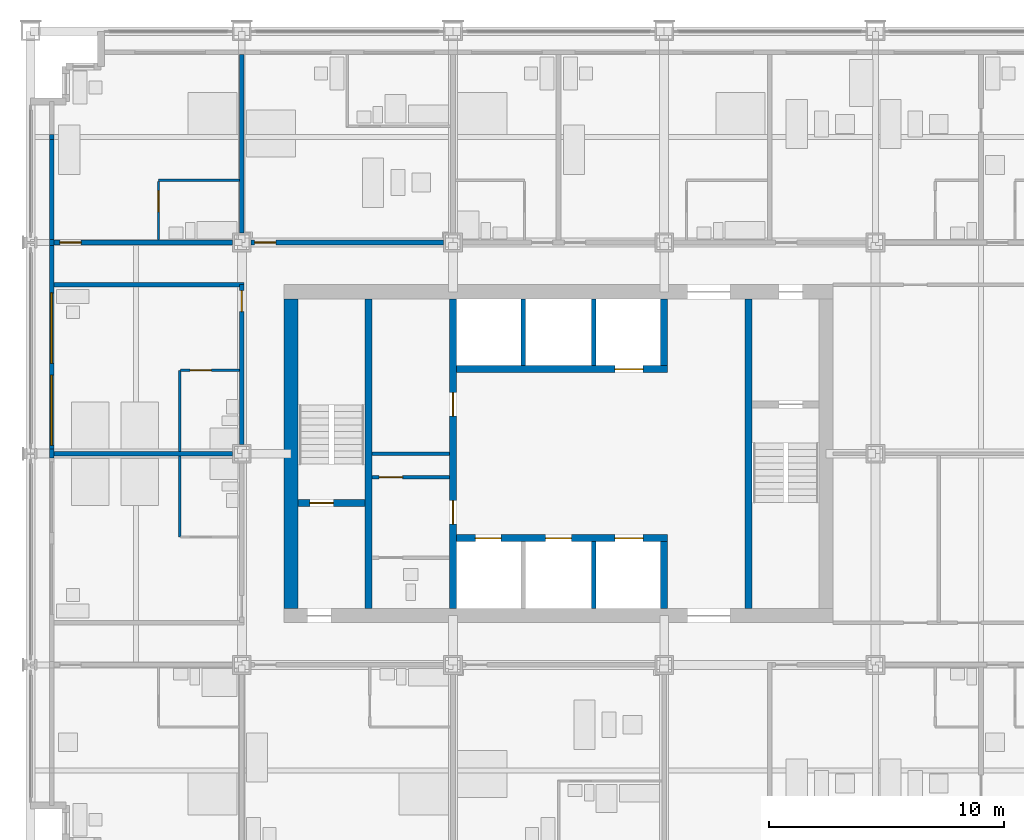
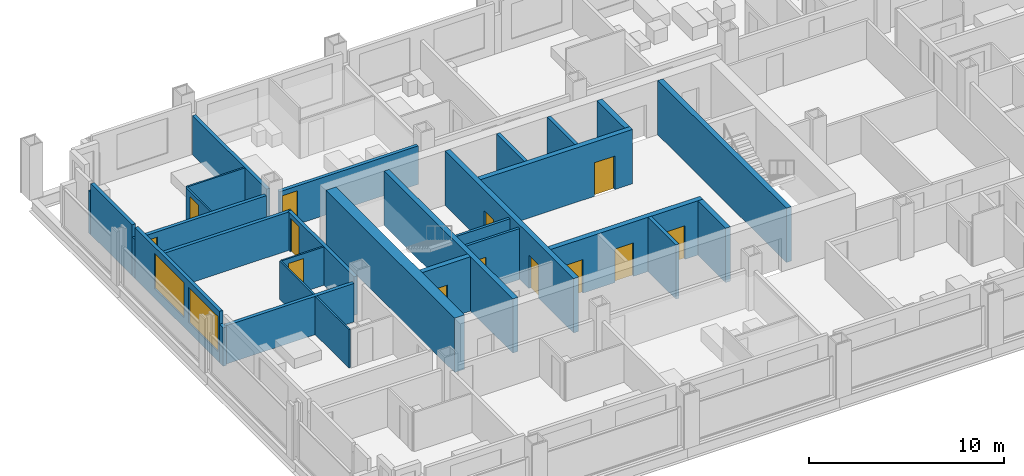
# One storey, part 11 of 18: 30 walls, 13 doors, 2 windows, 15 openings.
"""IFC4 building model written with IfcOpenShell, lengths in metres."""

from ifc_helpers import new_model, si_unit, direction, frame, frame_2d, origin, place, context, subcontext, project, spatial, rectangle, extrude, material, layer, layer_set, type_object, element, fill, save


model = new_model("IFC4")

# Units and contexts
model_context = context("Model", 3, precision=1e-05, world=origin(), true_north=direction((0.0, 1.0)))
body_context = subcontext(model_context, "Body", "Model", "MODEL_VIEW")
ifc_project = project(units=[si_unit("LENGTHUNIT", "METRE"), si_unit("AREAUNIT", "SQUARE_METRE"), si_unit("VOLUMEUNIT", "CUBIC_METRE"), si_unit("PLANEANGLEUNIT", "RADIAN"), si_unit("MASSUNIT", "GRAM", prefix="KILO")], contexts=[model_context])

# Site, building, storey
site_placement = place(None, origin())
site = spatial("IfcSite", under=ifc_project, at=site_placement, CompositionType="ELEMENT")
building_placement = place(site_placement, origin())
building = spatial("IfcBuilding", under=site, at=building_placement, Name="Loomwork Tower", CompositionType="ELEMENT")
storey_placement = place(building_placement, frame((0.0, 0.0, 79.0)))
storey = spatial("IfcBuildingStorey", under=building, at=storey_placement, Name="L20", CompositionType="ELEMENT", Elevation=79.0)

# Wall
ifc_material_1 = material(Name="Concrete 14000 psi (97 MPa)", Category="concrete")
ifc_layer_1 = layer(ifc_material_1, 0.300048828125)
ifc_layer_set_1 = layer_set([ifc_layer_1], Name="Core shear wall 300")
wall_type_1 = type_object("IfcWallType", Name="Core shear wall 300", PredefinedType="SHEAR", material=ifc_layer_set_1)
wall_1_placement = place(storey_placement, frame((14.39990234375, 11.39990234375, 0.0), z_axis=(0.0, 0.0, 1.0), x_axis=(0.0, 1.0, 0.0)))
element("IfcWall", 1, at=wall_1_placement, inside=storey, type_object=wall_type_1, Name="Stair A east wall L20", PredefinedType="SHEAR", context=body_context, shape_type="SweptSolid", body=[
    extrude(rectangle(XDim=13.2001953125, YDim=0.300048828125, at=frame_2d((6.60009765625, 0.0))), origin(), (0.0, 0.0, 1.0), 3.39990234375),
])

# Wall, opening, door
wall_2_placement = place(storey_placement, frame((11.39990234375, 15.89990234375, 0.0), z_axis=(0.0, 0.0, 1.0), x_axis=(1.0, 0.0, 0.0)))
wall_2 = element("IfcWall", 2, at=wall_2_placement, inside=storey, type_object=wall_type_1, Name="Stair A south wall L20", PredefinedType="SHEAR", context=body_context, shape_type="SweptSolid", body=[
    extrude(rectangle(XDim=2.85009765625, YDim=0.300048828125, at=frame_2d((1.425048828125, 0.0))), origin(), (0.0, 0.0, 1.0), 3.39990234375),
])
opening_1_placement = place(wall_2_placement, frame((0.5, 0.0, 0.0)))
opening_1 = element("IfcOpeningElement", 3, at=opening_1_placement, cuts=wall_2, Name="Opening D4", PredefinedType="OPENING", context=body_context, shape_type="SweptSolid", body=[
    extrude(rectangle(XDim=1.0, YDim=2.10009765625, at=frame_2d((0.5, 1.050048828125))), frame((0.0, 0.159912109375, 0.0), z_axis=(0.0, -1.0, 0.0), x_axis=(1.0, 0.0, 0.0)), (0.0, 0.0, 1.0), 0.320068359375),
])
ifc_material_2 = material(Name="Hollow metal door and frame")
door_type_1 = type_object("IfcDoorType", Name="Stair door 1000", OperationType="SINGLE_SWING_RIGHT", PredefinedType="DOOR", material=ifc_material_2)
door_1_placement = place(opening_1_placement, origin())
door_1 = element("IfcDoor", 4, at=door_1_placement, inside=storey, type_object=door_type_1, Name="Stair A door", OperationType="SINGLE_SWING_LEFT", OverallHeight=2.10009765625, OverallWidth=1.0, PredefinedType="DOOR", context=body_context, shape_type="SweptSolid", body=[
    extrude(rectangle(XDim=1.0, YDim=2.10009765625, at=frame_2d((0.5, 1.050048828125))), frame((0.0, 0.02490234375, 0.0), z_axis=(0.0, -1.0, 0.0), x_axis=(1.0, 0.0, 0.0)), (0.0, 0.0, 1.0), 0.050048828125),
])
fill(opening_1, door_1)

# Wall, openings, doors
wall_3_placement = place(storey_placement, frame((18.0, 11.39990234375, 0.0), z_axis=(0.0, 0.0, 1.0), x_axis=(0.0, 1.0, 0.0)))
wall_3 = element("IfcWall", 5, at=wall_3_placement, inside=storey, type_object=wall_type_1, Name="Lobby west wall L20", PredefinedType="SHEAR", context=body_context, shape_type="SweptSolid", body=[
    extrude(rectangle(XDim=13.2001953125, YDim=0.300048828125, at=frame_2d((6.60009765625, 0.0))), origin(), (0.0, 0.0, 1.0), 3.39990234375),
])
opening_2_placement = place(wall_3_placement, frame((3.60009765625, 0.0, 0.0)))
opening_2 = element("IfcOpeningElement", 6, at=opening_2_placement, cuts=wall_3, Name="Opening D5", PredefinedType="OPENING", context=body_context, shape_type="SweptSolid", body=[
    extrude(rectangle(XDim=1.0, YDim=2.10009765625, at=frame_2d((0.5, 1.050048828125))), frame((0.0, 0.159912109375, 0.0), z_axis=(0.0, -1.0, 0.0), x_axis=(1.0, 0.0, 0.0)), (0.0, 0.0, 1.0), 0.320068359375),
])
opening_3_placement = place(wall_3_placement, frame((8.199951171875, 0.0, 0.0)))
opening_3 = element("IfcOpeningElement", 7, at=opening_3_placement, cuts=wall_3, Name="Opening D5", PredefinedType="OPENING", context=body_context, shape_type="SweptSolid", body=[
    extrude(rectangle(XDim=1.0, YDim=2.10009765625, at=frame_2d((0.5, 1.050048828125))), frame((0.0, 0.159912109375, 0.0), z_axis=(0.0, -1.0, 0.0), x_axis=(1.0, 0.0, 0.0)), (0.0, 0.0, 1.0), 0.320068359375),
])
ifc_material_3 = material(Name="Hollow metal door and frame")
door_type_2 = type_object("IfcDoorType", Name="Service door 1000", OperationType="SINGLE_SWING_LEFT", PredefinedType="DOOR", material=ifc_material_3)
door_2_placement = place(opening_2_placement, origin())
door_2 = element("IfcDoor", 8, at=door_2_placement, inside=storey, type_object=door_type_2, Name="Back-of-house door south", OperationType="SINGLE_SWING_LEFT", OverallHeight=2.10009765625, OverallWidth=1.0, PredefinedType="DOOR", context=body_context, shape_type="SweptSolid", body=[
    extrude(rectangle(XDim=1.0, YDim=2.10009765625, at=frame_2d((0.5, 1.050048828125))), frame((0.0, 0.02490234375, 0.0), z_axis=(0.0, -1.0, 0.0), x_axis=(1.0, 0.0, 0.0)), (0.0, 0.0, 1.0), 0.050048828125),
])
fill(opening_2, door_2)
door_3_placement = place(opening_3_placement, origin())
door_3 = element("IfcDoor", 9, at=door_3_placement, inside=storey, type_object=door_type_2, Name="Back-of-house door north", OperationType="SINGLE_SWING_RIGHT", OverallHeight=2.10009765625, OverallWidth=1.0, PredefinedType="DOOR", context=body_context, shape_type="SweptSolid", body=[
    extrude(rectangle(XDim=1.0, YDim=2.10009765625, at=frame_2d((0.5, 1.050048828125))), frame((0.0, 0.02490234375, 0.0), z_axis=(0.0, -1.0, 0.0), x_axis=(1.0, 0.0, 0.0)), (0.0, 0.0, 1.0), 0.050048828125),
])
fill(opening_3, door_3)

wall_4_placement = place(storey_placement, frame((18.14990234375, 14.39990234375, 0.0), z_axis=(0.0, 0.0, 1.0), x_axis=(1.0, 0.0, 0.0)))
wall_4 = element("IfcWall", 10, at=wall_4_placement, inside=storey, type_object=wall_type_1, Name="Lift front wall south L20", PredefinedType="SHEAR", context=body_context, shape_type="SweptSolid", body=[
    extrude(rectangle(XDim=9.0, YDim=0.300048828125, at=frame_2d((4.5, 0.0))), origin(), (0.0, 0.0, 1.0), 3.39990234375),
])
opening_4_placement = place(wall_4_placement, frame((0.800048828125, 0.0, 0.0)))
opening_4 = element("IfcOpeningElement", 11, at=opening_4_placement, cuts=wall_4, Name="Opening LD1", PredefinedType="OPENING", context=body_context, shape_type="SweptSolid", body=[
    extrude(rectangle(XDim=1.10009765625, YDim=2.10009765625, at=frame_2d((0.550048828125, 1.050048828125))), frame((0.0, 0.159912109375, 0.0), z_axis=(0.0, -1.0, 0.0), x_axis=(1.0, 0.0, 0.0)), (0.0, 0.0, 1.0), 0.320068359375),
])
opening_5_placement = place(wall_4_placement, frame((3.800048828125, 0.0, 0.0)))
opening_5 = element("IfcOpeningElement", 12, at=opening_5_placement, cuts=wall_4, Name="Opening LD1", PredefinedType="OPENING", context=body_context, shape_type="SweptSolid", body=[
    extrude(rectangle(XDim=1.10009765625, YDim=2.10009765625, at=frame_2d((0.550048828125, 1.050048828125))), frame((0.0, 0.159912109375, 0.0), z_axis=(0.0, -1.0, 0.0), x_axis=(1.0, 0.0, 0.0)), (0.0, 0.0, 1.0), 0.320068359375),
])
opening_6_placement = place(wall_4_placement, frame((6.75, 0.0, 0.0)))
opening_6 = element("IfcOpeningElement", 13, at=opening_6_placement, cuts=wall_4, Name="Opening LD2", PredefinedType="OPENING", context=body_context, shape_type="SweptSolid", body=[
    extrude(rectangle(XDim=1.199951171875, YDim=2.10009765625, at=frame_2d((0.60009765625, 1.050048828125))), frame((0.0, 0.159912109375, 0.0), z_axis=(0.0, -1.0, 0.0), x_axis=(1.0, 0.0, 0.0)), (0.0, 0.0, 1.0), 0.320068359375),
])
ifc_material_4 = material(Name="Hollow metal door and frame")
door_type_3 = type_object("IfcDoorType", Name="Lift landing door 1100", OperationType="SLIDING_TO_LEFT", PredefinedType="DOOR", material=ifc_material_4)
door_4_placement = place(opening_4_placement, origin())
door_4 = element("IfcDoor", 14, at=door_4_placement, inside=storey, type_object=door_type_3, Name="Lift landing door LA1", OperationType="SLIDING_TO_LEFT", OverallHeight=2.10009765625, OverallWidth=1.10009765625, PredefinedType="DOOR", context=body_context, shape_type="SweptSolid", body=[
    extrude(rectangle(XDim=1.10009765625, YDim=2.10009765625, at=frame_2d((0.550048828125, 1.050048828125))), frame((0.0, 0.02490234375, 0.0), z_axis=(0.0, -1.0, 0.0), x_axis=(1.0, 0.0, 0.0)), (0.0, 0.0, 1.0), 0.050048828125),
])
fill(opening_4, door_4)
door_5_placement = place(opening_5_placement, origin())
door_5 = element("IfcDoor", 15, at=door_5_placement, inside=storey, type_object=door_type_3, Name="Lift landing door LA2", OperationType="SLIDING_TO_LEFT", OverallHeight=2.10009765625, OverallWidth=1.10009765625, PredefinedType="DOOR", context=body_context, shape_type="SweptSolid", body=[
    extrude(rectangle(XDim=1.10009765625, YDim=2.10009765625, at=frame_2d((0.550048828125, 1.050048828125))), frame((0.0, 0.02490234375, 0.0), z_axis=(0.0, -1.0, 0.0), x_axis=(1.0, 0.0, 0.0)), (0.0, 0.0, 1.0), 0.050048828125),
])
fill(opening_5, door_5)
ifc_material_5 = material(Name="Hollow metal door and frame")
door_type_4 = type_object("IfcDoorType", Name="Lift landing door 1200", OperationType="SLIDING_TO_LEFT", PredefinedType="DOOR", material=ifc_material_5)
door_6_placement = place(opening_6_placement, origin())
door_6 = element("IfcDoor", 16, at=door_6_placement, inside=storey, type_object=door_type_4, Name="Lift landing door LF1", OperationType="SLIDING_TO_LEFT", OverallHeight=2.10009765625, OverallWidth=1.199951171875, PredefinedType="DOOR", context=body_context, shape_type="SweptSolid", body=[
    extrude(rectangle(XDim=1.199951171875, YDim=2.10009765625, at=frame_2d((0.60009765625, 1.050048828125))), frame((0.0, 0.02490234375, 0.0), z_axis=(0.0, -1.0, 0.0), x_axis=(1.0, 0.0, 0.0)), (0.0, 0.0, 1.0), 0.050048828125),
])
fill(opening_6, door_6)

# Wall
wall_5_placement = place(storey_placement, frame((27.0, 11.39990234375, 0.0), z_axis=(0.0, 0.0, 1.0), x_axis=(0.0, 1.0, 0.0)))
element("IfcWall", 17, at=wall_5_placement, inside=storey, type_object=wall_type_1, Name="Lift shaft end wall south L20", PredefinedType="SHEAR", context=body_context, shape_type="SweptSolid", body=[
    extrude(rectangle(XDim=2.85009765625, YDim=0.300048828125, at=frame_2d((1.425048828125, 0.0))), origin(), (0.0, 0.0, 1.0), 3.39990234375),
])

# Wall, opening, door
wall_6_placement = place(storey_placement, frame((18.14990234375, 21.60009765625, 0.0), z_axis=(0.0, 0.0, 1.0), x_axis=(1.0, 0.0, 0.0)))
wall_6 = element("IfcWall", 18, at=wall_6_placement, inside=storey, type_object=wall_type_1, Name="Lift front wall north L20", PredefinedType="SHEAR", context=body_context, shape_type="SweptSolid", body=[
    extrude(rectangle(XDim=9.0, YDim=0.300048828125, at=frame_2d((4.5, 0.0))), origin(), (0.0, 0.0, 1.0), 3.39990234375),
])
opening_7_placement = place(wall_6_placement, frame((6.75, 0.0, 0.0)))
opening_7 = element("IfcOpeningElement", 19, at=opening_7_placement, cuts=wall_6, Name="Opening LD2", PredefinedType="OPENING", context=body_context, shape_type="SweptSolid", body=[
    extrude(rectangle(XDim=1.199951171875, YDim=2.10009765625, at=frame_2d((0.60009765625, 1.050048828125))), frame((0.0, 0.159912109375, 0.0), z_axis=(0.0, -1.0, 0.0), x_axis=(1.0, 0.0, 0.0)), (0.0, 0.0, 1.0), 0.320068359375),
])
door_7_placement = place(opening_7_placement, origin())
door_7 = element("IfcDoor", 20, at=door_7_placement, inside=storey, type_object=door_type_4, Name="Lift landing door LF2", OperationType="SLIDING_TO_LEFT", OverallHeight=2.10009765625, OverallWidth=1.199951171875, PredefinedType="DOOR", context=body_context, shape_type="SweptSolid", body=[
    extrude(rectangle(XDim=1.199951171875, YDim=2.10009765625, at=frame_2d((0.60009765625, 1.050048828125))), frame((0.0, 0.02490234375, 0.0), z_axis=(0.0, -1.0, 0.0), x_axis=(1.0, 0.0, 0.0)), (0.0, 0.0, 1.0), 0.050048828125),
])
fill(opening_7, door_7)

# Walls
wall_7_placement = place(storey_placement, frame((27.0, 21.75, 0.0), z_axis=(0.0, 0.0, 1.0), x_axis=(0.0, 1.0, 0.0)))
element("IfcWall", 21, at=wall_7_placement, inside=storey, type_object=wall_type_1, Name="Lift shaft end wall north L20", PredefinedType="SHEAR", context=body_context, shape_type="SweptSolid", body=[
    extrude(rectangle(XDim=2.85009765625, YDim=0.300048828125, at=frame_2d((1.425048828125, 0.0))), origin(), (0.0, 0.0, 1.0), 3.39990234375),
])
wall_8_placement = place(storey_placement, frame((30.60009765625, 11.39990234375, 0.0), z_axis=(0.0, 0.0, 1.0), x_axis=(0.0, 1.0, 0.0)))
element("IfcWall", 22, at=wall_8_placement, inside=storey, type_object=wall_type_1, Name="Stair B west wall L20", PredefinedType="SHEAR", context=body_context, shape_type="SweptSolid", body=[
    extrude(rectangle(XDim=13.2001953125, YDim=0.300048828125, at=frame_2d((6.60009765625, 0.0))), origin(), (0.0, 0.0, 1.0), 3.39990234375),
])
ifc_material_6 = material(Name="Concrete 14000 psi (97 MPa)", Category="concrete")
ifc_layer_2 = layer(ifc_material_6, 0.60009765625)
ifc_layer_set_2 = layer_set([ifc_layer_2], Name="Core shear wall 600")
wall_type_2 = type_object("IfcWallType", Name="Core shear wall 600", PredefinedType="SHEAR", material=ifc_layer_set_2)
wall_9_placement = place(storey_placement, frame((11.10009765625, 11.39990234375, 0.0), z_axis=(0.0, 0.0, 1.0), x_axis=(0.0, 1.0, 0.0)))
element("IfcWall", 23, at=wall_9_placement, inside=storey, type_object=wall_type_2, Name="Core wall west L20", PredefinedType="SHEAR", context=body_context, shape_type="SweptSolid", body=[
    extrude(rectangle(XDim=13.2001953125, YDim=0.60009765625, at=frame_2d((6.60009765625, 0.0))), origin(), (0.0, 0.0, 1.0), 3.39990234375),
])

# Wall, opening, door
ifc_material_7 = material(Name="Gypsum board on steel studs, one-hour", Category="steel")
ifc_layer_3 = layer(ifc_material_7, 0.199951171875)
ifc_layer_set_3 = layer_set([ifc_layer_3], Name="Corridor wall 200")
wall_type_3 = type_object("IfcWallType", Name="Corridor wall 200", PredefinedType="PARTITIONING", material=ifc_layer_set_3)
wall_10_placement = place(storey_placement, frame((1.0, 27.0, 0.0), z_axis=(0.0, 0.0, 1.0), x_axis=(1.0, 0.0, 0.0)))
wall_10 = element("IfcWall", 24, at=wall_10_placement, inside=storey, type_object=wall_type_3, Name="North corridor wall 1", PredefinedType="PARTITIONING", context=body_context, shape_type="SweptSolid", body=[
    extrude(rectangle(XDim=7.60009765625, YDim=0.199951171875, at=frame_2d((3.800048828125, 0.0))), origin(), (0.0, 0.0, 1.0), 2.43798828125),
])
opening_8_placement = place(wall_10_placement, frame((0.25, 0.0, 0.0)))
opening_8 = element("IfcOpeningElement", 25, at=opening_8_placement, cuts=wall_10, Name="Opening D1", PredefinedType="OPENING", context=body_context, shape_type="SweptSolid", body=[
    extrude(rectangle(XDim=0.89990234375, YDim=2.10009765625, at=frame_2d((0.449951171875, 1.050048828125))), frame((0.0, 0.10986328125, 0.0), z_axis=(0.0, -1.0, 0.0), x_axis=(1.0, 0.0, 0.0)), (0.0, 0.0, 1.0), 0.219970703125),
])
ifc_material_8 = material(Name="Hollow metal door and frame")
door_type_5 = type_object("IfcDoorType", Name="Guest room entry door 900", OperationType="SINGLE_SWING_LEFT", PredefinedType="DOOR", material=ifc_material_8)
door_8_placement = place(opening_8_placement, origin())
door_8 = element("IfcDoor", 26, at=door_8_placement, inside=storey, type_object=door_type_5, Name="Guest room entry door L20 7", OperationType="SINGLE_SWING_LEFT", OverallHeight=2.10009765625, OverallWidth=0.89990234375, PredefinedType="DOOR", context=body_context, shape_type="SweptSolid", body=[
    extrude(rectangle(XDim=0.89990234375, YDim=2.10009765625, at=frame_2d((0.449951171875, 1.050048828125))), frame((0.0, 0.02490234375, 0.0), z_axis=(0.0, -1.0, 0.0), x_axis=(1.0, 0.0, 0.0)), (0.0, 0.0, 1.0), 0.050048828125),
])
fill(opening_8, door_8)

wall_11_placement = place(storey_placement, frame((9.39990234375, 27.0, 0.0), z_axis=(0.0, 0.0, 1.0), x_axis=(1.0, 0.0, 0.0)))
wall_11 = element("IfcWall", 27, at=wall_11_placement, inside=storey, type_object=wall_type_3, Name="North corridor wall 2", PredefinedType="PARTITIONING", context=body_context, shape_type="SweptSolid", body=[
    extrude(rectangle(XDim=8.2001953125, YDim=0.199951171875, at=frame_2d((4.10009765625, 0.0))), origin(), (0.0, 0.0, 1.0), 2.405029296875),
])
opening_9_placement = place(wall_11_placement, frame((0.14990234375, 0.0, 0.0)))
opening_9 = element("IfcOpeningElement", 28, at=opening_9_placement, cuts=wall_11, Name="Opening D1", PredefinedType="OPENING", context=body_context, shape_type="SweptSolid", body=[
    extrude(rectangle(XDim=0.89990234375, YDim=2.10009765625, at=frame_2d((0.449951171875, 1.050048828125))), frame((0.0, 0.10986328125, 0.0), z_axis=(0.0, -1.0, 0.0), x_axis=(1.0, 0.0, 0.0)), (0.0, 0.0, 1.0), 0.219970703125),
])
door_9_placement = place(opening_9_placement, origin())
door_9 = element("IfcDoor", 29, at=door_9_placement, inside=storey, type_object=door_type_5, Name="Guest room entry door L20 8", OperationType="SINGLE_SWING_LEFT", OverallHeight=2.10009765625, OverallWidth=0.89990234375, PredefinedType="DOOR", context=body_context, shape_type="SweptSolid", body=[
    extrude(rectangle(XDim=0.89990234375, YDim=2.10009765625, at=frame_2d((0.449951171875, 1.050048828125))), frame((0.0, 0.02490234375, 0.0), z_axis=(0.0, -1.0, 0.0), x_axis=(1.0, 0.0, 0.0)), (0.0, 0.0, 1.0), 0.050048828125),
])
fill(opening_9, door_9)

wall_12_placement = place(storey_placement, frame((9.0, 18.39990234375, 0.0), z_axis=(0.0, 0.0, 1.0), x_axis=(0.0, 1.0, 0.0)))
wall_12 = element("IfcWall", 30, at=wall_12_placement, inside=storey, type_object=wall_type_3, Name="West corridor wall 2", PredefinedType="PARTITIONING", context=body_context, shape_type="SweptSolid", body=[
    extrude(rectangle(XDim=6.800048828125, YDim=0.199951171875, at=frame_2d((3.39990234375, 0.0))), origin(), (0.0, 0.0, 1.0), 2.405029296875),
])
opening_10_placement = place(wall_12_placement, frame((5.64990234375, 0.0, 0.0)))
opening_10 = element("IfcOpeningElement", 31, at=opening_10_placement, cuts=wall_12, Name="Opening D1", PredefinedType="OPENING", context=body_context, shape_type="SweptSolid", body=[
    extrude(rectangle(XDim=0.89990234375, YDim=2.10009765625, at=frame_2d((0.449951171875, 1.050048828125))), frame((0.0, 0.10986328125, 0.0), z_axis=(0.0, -1.0, 0.0), x_axis=(1.0, 0.0, 0.0)), (0.0, 0.0, 1.0), 0.219970703125),
])
door_10_placement = place(opening_10_placement, origin())
door_10 = element("IfcDoor", 32, at=door_10_placement, inside=storey, type_object=door_type_5, Name="Guest room entry door L20 15", OperationType="SINGLE_SWING_RIGHT", OverallHeight=2.10009765625, OverallWidth=0.89990234375, PredefinedType="DOOR", context=body_context, shape_type="SweptSolid", body=[
    extrude(rectangle(XDim=0.89990234375, YDim=2.10009765625, at=frame_2d((0.449951171875, 1.050048828125))), frame((0.0, 0.02490234375, 0.0), z_axis=(0.0, -1.0, 0.0), x_axis=(1.0, 0.0, 0.0)), (0.0, 0.0, 1.0), 0.050048828125),
])
fill(opening_10, door_10)

# Walls
wall_13_placement = place(storey_placement, frame((1.0, 25.199951171875, 0.0), z_axis=(0.0, 0.0, 1.0), x_axis=(1.0, 0.0, 0.0)))
element("IfcWall", 33, at=wall_13_placement, inside=storey, type_object=wall_type_3, Name="West band end wall N", PredefinedType="PARTITIONING", context=body_context, shape_type="SweptSolid", body=[
    extrude(rectangle(XDim=8.10009765625, YDim=0.199951171875, at=frame_2d((4.050048828125, 0.0))), origin(), (0.0, 0.0, 1.0), 2.404052734375),
])
ifc_material_9 = material(Name="Cement board on steel studs", Category="steel")
ifc_layer_4 = layer(ifc_material_9, 0.10009765625)
ifc_layer_set_4 = layer_set([ifc_layer_4], Name="En-suite partition 100")
wall_type_4 = type_object("IfcWallType", Name="En-suite partition 100", PredefinedType="PARTITIONING", material=ifc_layer_set_4)
wall_14_placement = place(storey_placement, frame((5.449951171875, 29.64990234375, 0.0), z_axis=(0.0, 0.0, 1.0), x_axis=(1.0, 0.0, 0.0)))
element("IfcWall", 34, at=wall_14_placement, inside=storey, type_object=wall_type_4, Name="En-suite wall L20 room 7", PredefinedType="PARTITIONING", context=body_context, shape_type="SweptSolid", body=[
    extrude(rectangle(XDim=3.449951171875, YDim=0.10009765625, at=frame_2d((1.72509765625, 0.0))), origin(), (0.0, 0.0, 1.0), 2.43798828125),
])

# Wall, opening, door
wall_15_placement = place(storey_placement, frame((5.449951171875, 27.10009765625, 0.0), z_axis=(0.0, 0.0, 1.0), x_axis=(0.0, 1.0, 0.0)))
wall_15 = element("IfcWall", 35, at=wall_15_placement, inside=storey, type_object=wall_type_4, Name="En-suite side wall L20 room 7", PredefinedType="PARTITIONING", context=body_context, shape_type="SweptSolid", body=[
    extrude(rectangle(XDim=2.5, YDim=0.10009765625, at=frame_2d((1.25, 0.0))), origin(), (0.0, 0.0, 1.0), 2.43798828125),
])
opening_11_placement = place(wall_15_placement, frame((1.199951171875, 0.0, 0.0)))
opening_11 = element("IfcOpeningElement", 36, at=opening_11_placement, cuts=wall_15, Name="Opening D2", PredefinedType="OPENING", context=body_context, shape_type="SweptSolid", body=[
    extrude(rectangle(XDim=0.89990234375, YDim=2.10009765625, at=frame_2d((0.449951171875, 1.050048828125))), frame((0.0, 0.06005859375, 0.0), z_axis=(0.0, -1.0, 0.0), x_axis=(1.0, 0.0, 0.0)), (0.0, 0.0, 1.0), 0.1201171875),
])
ifc_material_10 = material(Name="Hollow metal door and frame")
door_type_6 = type_object("IfcDoorType", Name="En-suite door 900", OperationType="SINGLE_SWING_LEFT", PredefinedType="DOOR", material=ifc_material_10)
door_11_placement = place(opening_11_placement, frame((0.89990234375, 0.0, 0.0), z_axis=(0.0, 0.0, 1.0), x_axis=(-1.0, 0.0, 0.0)))
door_11 = element("IfcDoor", 37, at=door_11_placement, inside=storey, type_object=door_type_6, Name="En-suite door room 7", OperationType="SINGLE_SWING_LEFT", OverallHeight=2.10009765625, OverallWidth=0.89990234375, PredefinedType="DOOR", context=body_context, shape_type="SweptSolid", body=[
    extrude(rectangle(XDim=0.89990234375, YDim=2.10009765625, at=frame_2d((0.449951171875, 1.050048828125))), frame((0.0, 0.02490234375, 0.0), z_axis=(0.0, -1.0, 0.0), x_axis=(1.0, 0.0, 0.0)), (0.0, 0.0, 1.0), 0.050048828125),
])
fill(opening_11, door_11)

# Walls
for number, where, z_axis, x_axis, name in (
    (38, (6.35009765625, 14.449951171875, 0.0), (0.0, 0.0, 1.0), (0.0, 1.0, 0.0), "En-suite wall L20 room 14"),
    (39, (6.35009765625, 18.10009765625, 0.0), (0.0, 0.0, 1.0), (0.0, 1.0, 0.0), "En-suite wall L20 room 15"),
):
    element("IfcWall", number, at=place(storey_placement, frame(where, z_axis=z_axis, x_axis=x_axis)), inside=storey, type_object=wall_type_4, Name=name, PredefinedType="PARTITIONING", context=body_context, shape_type="SweptSolid", body=[
        extrude(rectangle(XDim=3.449951171875, YDim=0.10009765625, at=frame_2d((1.72509765625, 0.0))), origin(), (0.0, 0.0, 1.0), 2.404052734375),
    ])

# Wall, opening, door
wall_16_placement = place(storey_placement, frame((8.89990234375, 21.550048828125, 0.0), z_axis=(0.0, 0.0, 1.0), x_axis=(-1.0, 0.0, 0.0)))
wall_16 = element("IfcWall", 40, at=wall_16_placement, inside=storey, type_object=wall_type_4, Name="En-suite side wall L20 room 15", PredefinedType="PARTITIONING", context=body_context, shape_type="SweptSolid", body=[
    extrude(rectangle(XDim=2.5, YDim=0.10009765625, at=frame_2d((1.25, 0.0))), origin(), (0.0, 0.0, 1.0), 2.404052734375),
])
opening_12_placement = place(wall_16_placement, frame((1.199951171875, 0.0, 0.0)))
opening_12 = element("IfcOpeningElement", 41, at=opening_12_placement, cuts=wall_16, Name="Opening D2", PredefinedType="OPENING", context=body_context, shape_type="SweptSolid", body=[
    extrude(rectangle(XDim=0.89990234375, YDim=2.10009765625, at=frame_2d((0.449951171875, 1.050048828125))), frame((0.0, 0.06005859375, 0.0), z_axis=(0.0, -1.0, 0.0), x_axis=(1.0, 0.0, 0.0)), (0.0, 0.0, 1.0), 0.1201171875),
])
door_12_placement = place(opening_12_placement, origin())
door_12 = element("IfcDoor", 42, at=door_12_placement, inside=storey, type_object=door_type_6, Name="En-suite door room 15", OperationType="SINGLE_SWING_RIGHT", OverallHeight=2.10009765625, OverallWidth=0.89990234375, PredefinedType="DOOR", context=body_context, shape_type="SweptSolid", body=[
    extrude(rectangle(XDim=0.89990234375, YDim=2.10009765625, at=frame_2d((0.449951171875, 1.050048828125))), frame((0.0, 0.02490234375, 0.0), z_axis=(0.0, -1.0, 0.0), x_axis=(1.0, 0.0, 0.0)), (0.0, 0.0, 1.0), 0.050048828125),
])
fill(opening_12, door_12)

# Walls
ifc_material_11 = material(Name="Gypsum board on steel studs, acoustic", Category="steel")
ifc_layer_5 = layer(ifc_material_11, 0.199951171875)
ifc_layer_set_5 = layer_set([ifc_layer_5], Name="Guest room party wall 200")
wall_type_5 = type_object("IfcWallType", Name="Guest room party wall 200", PredefinedType="PARTITIONING", material=ifc_layer_set_5)
wall_17_placement = place(storey_placement, frame((9.0, 27.39990234375, 0.0), z_axis=(0.0, 0.0, 1.0), x_axis=(0.0, 1.0, 0.0)))
element("IfcWall", 43, at=wall_17_placement, inside=storey, type_object=wall_type_5, Name="Guest room party wall N 9", PredefinedType="PARTITIONING", context=body_context, shape_type="SweptSolid", body=[
    extrude(rectangle(XDim=7.60009765625, YDim=0.199951171875, at=frame_2d((3.800048828125, 0.0))), origin(), (0.0, 0.0, 1.0), 2.43798828125),
])
wall_18_placement = place(storey_placement, frame((8.60009765625, 18.0, 0.0), z_axis=(0.0, 0.0, 1.0), x_axis=(-1.0, 0.0, 0.0)))
element("IfcWall", 44, at=wall_18_placement, inside=storey, type_object=wall_type_5, Name="Guest room party wall W 18", PredefinedType="PARTITIONING", context=body_context, shape_type="SweptSolid", body=[
    extrude(rectangle(XDim=7.60009765625, YDim=0.199951171875, at=frame_2d((3.800048828125, 0.0))), origin(), (0.0, 0.0, 1.0), 2.405029296875),
])
ifc_material_12 = material(Name="Insulated steel stud wall with gypsum lining", Category="steel")
ifc_layer_6 = layer(ifc_material_12, 0.199951171875)
ifc_layer_set_6 = layer_set([ifc_layer_6], Name="Inner skin wall 200")
wall_type_6 = type_object("IfcWallType", Name="Inner skin wall 200", PredefinedType="SOLIDWALL", material=ifc_layer_set_6)
wall_19_placement = place(storey_placement, frame((0.89990234375, 17.80615234375, 0.0), z_axis=(0.0, 0.0, 1.0), x_axis=(0.0, 1.0, 0.0)))
element("IfcWall", 45, at=wall_19_placement, inside=storey, type_object=wall_type_6, Name="Inner skin wall W bay 6", PredefinedType="SOLIDWALL", context=body_context, shape_type="SweptSolid", body=[
    extrude(rectangle(XDim=0.3876953125, YDim=0.199951171875, at=frame_2d((0.19384765625, 0.0))), origin(), (0.0, 0.0, 1.0), 2.404052734375),
])

# Wall, openings, windows
wall_20_placement = place(storey_placement, frame((0.89990234375, 18.19384765625, 0.0), z_axis=(0.0, 0.0, 1.0), x_axis=(0.0, 1.0, 0.0)))
wall_20 = element("IfcWall", 46, at=wall_20_placement, inside=storey, type_object=wall_type_6, Name="Inner skin wall W bay 7", PredefinedType="SOLIDWALL", context=body_context, shape_type="SweptSolid", body=[
    extrude(rectangle(XDim=8.6708984375, YDim=0.199951171875, at=frame_2d((4.33544921875, 0.0))), origin(), (0.0, 0.0, 1.0), 3.199951171875),
])
opening_13_placement = place(wall_20_placement, frame((0.15625, 0.0, 0.60009765625)))
opening_13 = element("IfcOpeningElement", 47, at=opening_13_placement, cuts=wall_20, Name="Opening CH1", PredefinedType="OPENING", context=body_context, shape_type="SweptSolid", body=[
    extrude(rectangle(XDim=3.0, YDim=2.199951171875, at=frame_2d((1.5, 1.10009765625))), frame((0.0, 0.10986328125, 0.0), z_axis=(0.0, -1.0, 0.0), x_axis=(1.0, 0.0, 0.0)), (0.0, 0.0, 1.0), 0.219970703125),
])
opening_14_placement = place(wall_20_placement, frame((3.65625, 0.0, 0.60009765625)))
opening_14 = element("IfcOpeningElement", 48, at=opening_14_placement, cuts=wall_20, Name="Opening CH1", PredefinedType="OPENING", context=body_context, shape_type="SweptSolid", body=[
    extrude(rectangle(XDim=3.0, YDim=2.199951171875, at=frame_2d((1.5, 1.10009765625))), frame((0.0, 0.10986328125, 0.0), z_axis=(0.0, -1.0, 0.0), x_axis=(1.0, 0.0, 0.0)), (0.0, 0.0, 1.0), 0.219970703125),
])
ifc_material_13 = material(Name="Aluminium frame with clear insulated glass", Category="aluminium")
window_type = type_object("IfcWindowType", Name="Chicago window 3000", PartitioningType="TRIPLE_PANEL_VERTICAL", PredefinedType="WINDOW", material=ifc_material_13)
window_1_placement = place(opening_13_placement, origin())
window_1 = element("IfcWindow", 49, at=window_1_placement, inside=storey, type_object=window_type, Name="Chicago window L20 bay 14", OverallHeight=2.199951171875, OverallWidth=3.0, PartitioningType="TRIPLE_PANEL_VERTICAL", PredefinedType="WINDOW", context=body_context, shape_type="SweptSolid", body=[
    extrude(rectangle(XDim=3.0, YDim=2.199951171875, at=frame_2d((1.5, 1.10009765625))), frame((0.0, 0.030029296875, 0.0), z_axis=(0.0, -1.0, 0.0), x_axis=(1.0, 0.0, 0.0)), (0.0, 0.0, 1.0), 0.06005859375),
])
fill(opening_13, window_1)
window_2_placement = place(opening_14_placement, origin())
window_2 = element("IfcWindow", 50, at=window_2_placement, inside=storey, type_object=window_type, Name="Chicago window L20 bay 14", OverallHeight=2.199951171875, OverallWidth=3.0, PartitioningType="TRIPLE_PANEL_VERTICAL", PredefinedType="WINDOW", context=body_context, shape_type="SweptSolid", body=[
    extrude(rectangle(XDim=3.0, YDim=2.199951171875, at=frame_2d((1.5, 1.10009765625))), frame((0.0, 0.030029296875, 0.0), z_axis=(0.0, -1.0, 0.0), x_axis=(1.0, 0.0, 0.0)), (0.0, 0.0, 1.0), 0.06005859375),
])
fill(opening_14, window_2)

# Walls
wall_21_placement = place(storey_placement, frame((0.89990234375, 26.86474609375, 0.0), z_axis=(0.0, 0.0, 1.0), x_axis=(0.0, 1.0, 0.0)))
element("IfcWall", 51, at=wall_21_placement, inside=storey, type_object=wall_type_6, Name="Inner skin wall W bay 8", PredefinedType="SOLIDWALL", context=body_context, shape_type="SweptSolid", body=[
    extrude(rectangle(XDim=0.2705078125, YDim=0.199951171875, at=frame_2d((0.13525390625, 0.0))), origin(), (0.0, 0.0, 1.0), 2.43798828125),
])
wall_22_placement = place(storey_placement, frame((0.89990234375, 27.13525390625, 0.0), z_axis=(0.0, 0.0, 1.0), x_axis=(0.0, 1.0, 0.0)))
element("IfcWall", 52, at=wall_22_placement, inside=storey, type_object=wall_type_6, Name="Inner skin wall W bay 9", PredefinedType="SOLIDWALL", context=body_context, shape_type="SweptSolid", body=[
    extrude(rectangle(XDim=4.25732421875, YDim=0.199951171875, at=frame_2d((2.128662109375, 0.0))), origin(), (0.0, 0.0, 1.0), 3.199951171875),
])
wall_23_placement = place(storey_placement, frame((0.89990234375, 31.392578125, 0.0), z_axis=(0.0, 0.0, 1.0), x_axis=(0.0, 1.0, 0.0)))
element("IfcWall", 53, at=wall_23_placement, inside=storey, type_object=wall_type_6, Name="Inner skin wall W bay 10", PredefinedType="SOLIDWALL", context=body_context, shape_type="SweptSolid", body=[
    extrude(rectangle(XDim=0.21484375, YDim=0.199951171875, at=frame_2d((0.107421875, 0.0))), origin(), (0.0, 0.0, 1.0), 2.660888671875),
])
ifc_material_14 = material(Name="Concrete 14000 psi (97 MPa)", Category="concrete")
ifc_layer_7 = layer(ifc_material_14, 0.199951171875)
ifc_layer_set_7 = layer_set([ifc_layer_7], Name="Lift shaft wall 200")
wall_type_7 = type_object("IfcWallType", Name="Lift shaft wall 200", PredefinedType="SHEAR", material=ifc_layer_set_7)
for number, where, z_axis, x_axis, name in (
    (54, (24.0, 11.39990234375, 0.0), (0.0, 0.0, 1.0), (0.0, 1.0, 0.0), "Lift shaft separation wall south 2 L20"),
    (55, (21.0, 21.75, 0.0), (0.0, 0.0, 1.0), (0.0, 1.0, 0.0), "Lift shaft separation wall north 1 L20"),
    (56, (24.0, 21.75, 0.0), (0.0, 0.0, 1.0), (0.0, 1.0, 0.0), "Lift shaft separation wall north 2 L20"),
):
    element("IfcWall", number, at=place(storey_placement, frame(where, z_axis=z_axis, x_axis=x_axis)), inside=storey, type_object=wall_type_7, Name=name, PredefinedType="SHEAR", context=body_context, shape_type="SweptSolid", body=[
        extrude(rectangle(XDim=2.85009765625, YDim=0.199951171875, at=frame_2d((1.425048828125, 0.0))), origin(), (0.0, 0.0, 1.0), 3.39990234375),
    ])
ifc_material_15 = material(Name="Gypsum board on steel studs", Category="steel")
ifc_layer_8 = layer(ifc_material_15, 0.14990234375)
ifc_layer_set_8 = layer_set([ifc_layer_8], Name="Partition 150 two-hour")
wall_type_8 = type_object("IfcWallType", Name="Partition 150 two-hour", PredefinedType="PARTITIONING", material=ifc_layer_set_8)
wall_24_placement = place(storey_placement, frame((14.550048828125, 18.0, 0.0), z_axis=(0.0, 0.0, 1.0), x_axis=(1.0, 0.0, 0.0)))
element("IfcWall", 57, at=wall_24_placement, inside=storey, type_object=wall_type_8, Name="Back-of-house dividing wall L20", PredefinedType="PARTITIONING", context=body_context, shape_type="SweptSolid", body=[
    extrude(rectangle(XDim=3.300048828125, YDim=0.14990234375, at=frame_2d((1.64990234375, 0.0))), origin(), (0.0, 0.0, 1.0), 3.199951171875),
])

# Wall, opening, door
ifc_material_16 = material(Name="Gypsum board on steel studs, one-hour", Category="steel")
ifc_layer_9 = layer(ifc_material_16, 0.14990234375)
ifc_layer_set_9 = layer_set([ifc_layer_9], Name="Service partition 150")
wall_type_9 = type_object("IfcWallType", Name="Service partition 150", PredefinedType="PARTITIONING", material=ifc_layer_set_9)
wall_25_placement = place(storey_placement, frame((14.550048828125, 17.0, 0.0), z_axis=(0.0, 0.0, 1.0), x_axis=(1.0, 0.0, 0.0)))
wall_25 = element("IfcWall", 58, at=wall_25_placement, inside=storey, type_object=wall_type_9, Name="Riser enclosure L20", PredefinedType="PARTITIONING", context=body_context, shape_type="SweptSolid", body=[
    extrude(rectangle(XDim=3.300048828125, YDim=0.14990234375, at=frame_2d((1.64990234375, 0.0))), origin(), (0.0, 0.0, 1.0), 3.199951171875),
])
opening_15_placement = place(wall_25_placement, frame((0.300048828125, 0.0, 0.0)))
opening_15 = element("IfcOpeningElement", 59, at=opening_15_placement, cuts=wall_25, Name="Opening D18", PredefinedType="OPENING", context=body_context, shape_type="SweptSolid", body=[
    extrude(rectangle(XDim=1.0, YDim=2.10009765625, at=frame_2d((0.5, 1.050048828125))), frame((0.0, 0.0849609375, 0.0), z_axis=(0.0, -1.0, 0.0), x_axis=(1.0, 0.0, 0.0)), (0.0, 0.0, 1.0), 0.169921875),
])
ifc_material_17 = material(Name="Hollow metal door and frame")
door_type_7 = type_object("IfcDoorType", Name="Ninety-minute service door 1000", OperationType="SINGLE_SWING_LEFT", PredefinedType="DOOR", material=ifc_material_17)
door_13_placement = place(opening_15_placement, frame((1.0, 0.0, 0.0), z_axis=(0.0, 0.0, 1.0), x_axis=(-1.0, 0.0, 0.0)))
door_13 = element("IfcDoor", 60, at=door_13_placement, inside=storey, type_object=door_type_7, Name="Riser access door", OperationType="SINGLE_SWING_RIGHT", OverallHeight=2.10009765625, OverallWidth=1.0, PredefinedType="DOOR", context=body_context, shape_type="SweptSolid", body=[
    extrude(rectangle(XDim=1.0, YDim=2.10009765625, at=frame_2d((0.5, 1.050048828125))), frame((0.0, 0.02490234375, 0.0), z_axis=(0.0, -1.0, 0.0), x_axis=(1.0, 0.0, 0.0)), (0.0, 0.0, 1.0), 0.050048828125),
])
fill(opening_15, door_13)

save(model, "model.ifc")
